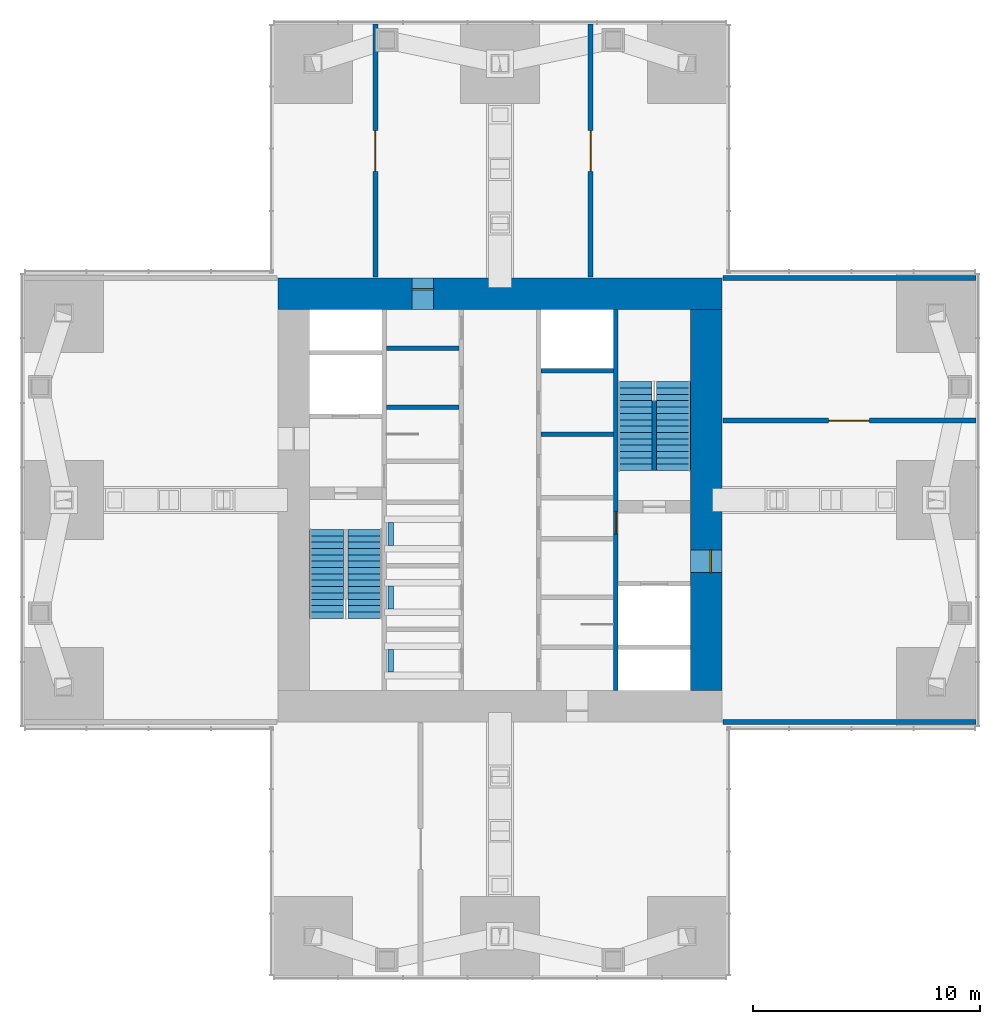
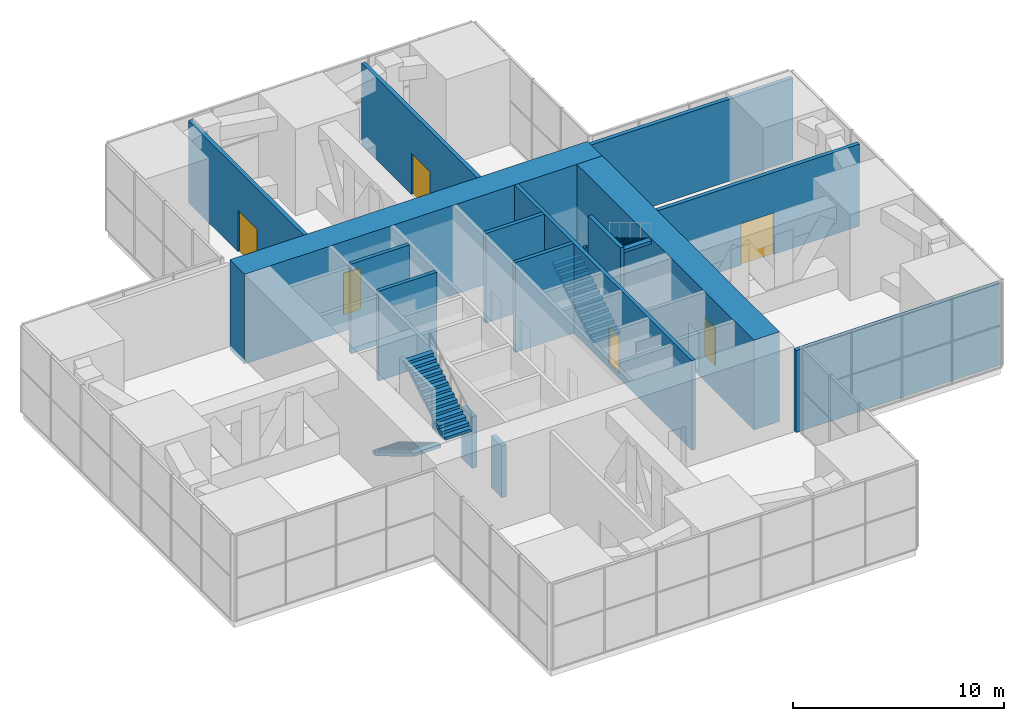
# One storey, part 11 of 12: 13 walls, 6 doors, 4 stair flights, 3 discrete accessories, 6 openings, 2 elements without a shape of their own.
"""IFC4 building model written with IfcOpenShell, lengths in metres."""

from ifc_helpers import new_model, si_unit, direction, frame, frame_2d, origin, origin_2d, place, context, subcontext, project, spatial, polyline, rectangle, outline, extrude, material, layer, layer_set, type_object, element, fill, aggregate, save


model = new_model("IFC4")

# Units and contexts
model_context = context("Model", 3, precision=1e-05, world=origin(), true_north=direction((0.0, 1.0)))
body_context = subcontext(model_context, "Body", "Model", "MODEL_VIEW")
ifc_project = project(units=[si_unit("LENGTHUNIT", "METRE"), si_unit("AREAUNIT", "SQUARE_METRE"), si_unit("VOLUMEUNIT", "CUBIC_METRE"), si_unit("PLANEANGLEUNIT", "RADIAN"), si_unit("MASSUNIT", "GRAM", prefix="KILO")], contexts=[model_context])

# Site, building, storey
site_placement = place(None, origin())
site = spatial("IfcSite", under=ifc_project, at=site_placement, CompositionType="ELEMENT")
building_placement = place(site_placement, origin())
building = spatial("IfcBuilding", under=site, at=building_placement, Name="Svetlomir Tower", CompositionType="ELEMENT")
storey_placement = place(building_placement, frame((0.0, 0.0, 234.5)))
storey = spatial("IfcBuildingStorey", under=building, at=storey_placement, Name="L56", CompositionType="ELEMENT", Elevation=234.5)

# Wall, opening, door
ifc_material_1 = material(Name="Dense concrete blockwork", Category="masonry")
ifc_layer_1 = layer(ifc_material_1, 0.215087890625)
ifc_layer_set_1 = layer_set([ifc_layer_1], Name="Dense concrete blockwork")
wall_type_1 = type_object("IfcWallType", Name="BLOCKWORK WALL 215", PredefinedType="PARTITIONING", material=ifc_layer_set_1)
wall_1_placement = place(storey_placement, frame((15.5, 30.85009765625, 0.0), z_axis=(0.0, 0.0, 1.0), x_axis=(0.0, 1.0, 0.0)))
wall_1 = element("IfcWall", 1, at=wall_1_placement, inside=storey, type_object=wall_type_1, Name="Partition L56", PredefinedType="PARTITIONING", context=body_context, shape_type="SweptSolid", body=[
    extrude(rectangle(XDim=11.14990234375, YDim=0.215087890625, at=frame_2d((5.574951171875, 0.0))), origin(), (0.0, 0.0, 1.0), 4.75),
])
opening_1_placement = place(wall_1_placement, frame((4.64990234375, 0.0, 0.0)))
opening_1 = element("IfcOpeningElement", 2, at=opening_1_placement, cuts=wall_1, Name="Opening DP", PredefinedType="OPENING", context=body_context, shape_type="SweptSolid", body=[
    extrude(rectangle(XDim=1.800048828125, YDim=2.39990234375, at=frame_2d((0.89990234375, 1.199951171875))), frame((0.0, 0.11767578125, 0.0), z_axis=(0.0, -1.0, 0.0), x_axis=(1.0, 0.0, 0.0)), (0.0, 0.0, 1.0), 0.235107421875),
])
ifc_material_2 = material(Name="Steel fire door", Category="steel")
door_type_1 = type_object("IfcDoorType", Name="PLANT ROOM DOOR DP 1800x2400", OperationType="DOUBLE_DOOR_SINGLE_SWING", PredefinedType="DOOR", material=ifc_material_2)
door_1_placement = place(opening_1_placement, origin())
door_1 = element("IfcDoor", 3, at=door_1_placement, inside=storey, type_object=door_type_1, Name="Plant room - heat exchangers door L56", OperationType="DOUBLE_DOOR_SINGLE_SWING", OverallHeight=2.39990234375, OverallWidth=1.800048828125, PredefinedType="DOOR", context=body_context, shape_type="SweptSolid", body=[
    extrude(rectangle(XDim=1.800048828125, YDim=2.39990234375, at=frame_2d((0.89990234375, 1.199951171875))), frame((0.0, 0.02490234375, 0.0), z_axis=(0.0, -1.0, 0.0), x_axis=(1.0, 0.0, 0.0)), (0.0, 0.0, 1.0), 0.050048828125),
])
fill(opening_1, door_1)

wall_2_placement = place(storey_placement, frame((25.0, 30.85009765625, 0.0), z_axis=(0.0, 0.0, 1.0), x_axis=(0.0, 1.0, 0.0)))
wall_2 = element("IfcWall", 4, at=wall_2_placement, inside=storey, type_object=wall_type_1, Name="Partition L56", PredefinedType="PARTITIONING", context=body_context, shape_type="SweptSolid", body=[
    extrude(rectangle(XDim=11.14990234375, YDim=0.215087890625, at=frame_2d((5.574951171875, 0.0))), origin(), (0.0, 0.0, 1.0), 4.75),
])
opening_2_placement = place(wall_2_placement, frame((4.64990234375, 0.0, 0.0)))
opening_2 = element("IfcOpeningElement", 5, at=opening_2_placement, cuts=wall_2, Name="Opening DP", PredefinedType="OPENING", context=body_context, shape_type="SweptSolid", body=[
    extrude(rectangle(XDim=1.800048828125, YDim=2.39990234375, at=frame_2d((0.89990234375, 1.199951171875))), frame((0.0, 0.11767578125, 0.0), z_axis=(0.0, -1.0, 0.0), x_axis=(1.0, 0.0, 0.0)), (0.0, 0.0, 1.0), 0.235107421875),
])
door_2_placement = place(opening_2_placement, origin())
door_2 = element("IfcDoor", 6, at=door_2_placement, inside=storey, type_object=door_type_1, Name="Plant room - sprinkler valves door L56", OperationType="DOUBLE_DOOR_SINGLE_SWING", OverallHeight=2.39990234375, OverallWidth=1.800048828125, PredefinedType="DOOR", context=body_context, shape_type="SweptSolid", body=[
    extrude(rectangle(XDim=1.800048828125, YDim=2.39990234375, at=frame_2d((0.89990234375, 1.199951171875))), frame((0.0, 0.02490234375, 0.0), z_axis=(0.0, -1.0, 0.0), x_axis=(1.0, 0.0, 0.0)), (0.0, 0.0, 1.0), 0.050048828125),
])
fill(opening_2, door_2)

# Wall
wall_3_placement = place(storey_placement, frame((30.85009765625, 11.199951171875, 0.0), z_axis=(0.0, 0.0, 1.0), x_axis=(1.0, 0.0, 0.0)))
element("IfcWall", 7, at=wall_3_placement, inside=storey, type_object=wall_type_1, Name="Partition L56", PredefinedType="PARTITIONING", context=body_context, shape_type="SweptSolid", body=[
    extrude(rectangle(XDim=11.14990234375, YDim=0.215087890625, at=frame_2d((5.574951171875, 0.0))), origin(), (0.0, 0.0, 1.0), 4.75),
])

# Wall, opening, door
wall_4_placement = place(storey_placement, frame((30.85009765625, 24.5, 0.0), z_axis=(0.0, 0.0, 1.0), x_axis=(1.0, 0.0, 0.0)))
wall_4 = element("IfcWall", 8, at=wall_4_placement, inside=storey, type_object=wall_type_1, Name="Partition L56", PredefinedType="PARTITIONING", context=body_context, shape_type="SweptSolid", body=[
    extrude(rectangle(XDim=11.14990234375, YDim=0.215087890625, at=frame_2d((5.574951171875, 0.0))), origin(), (0.0, 0.0, 1.0), 4.75),
])
opening_3_placement = place(wall_4_placement, frame((4.64990234375, 0.0, 0.0)))
opening_3 = element("IfcOpeningElement", 9, at=opening_3_placement, cuts=wall_4, Name="Opening DP", PredefinedType="OPENING", context=body_context, shape_type="SweptSolid", body=[
    extrude(rectangle(XDim=1.800048828125, YDim=2.39990234375, at=frame_2d((0.89990234375, 1.199951171875))), frame((0.0, 0.11767578125, 0.0), z_axis=(0.0, -1.0, 0.0), x_axis=(1.0, 0.0, 0.0)), (0.0, 0.0, 1.0), 0.235107421875),
])
door_3_placement = place(opening_3_placement, origin())
door_3 = element("IfcDoor", 10, at=door_3_placement, inside=storey, type_object=door_type_1, Name="Plant room - standby generator door L56", OperationType="DOUBLE_DOOR_SINGLE_SWING", OverallHeight=2.39990234375, OverallWidth=1.800048828125, PredefinedType="DOOR", context=body_context, shape_type="SweptSolid", body=[
    extrude(rectangle(XDim=1.800048828125, YDim=2.39990234375, at=frame_2d((0.89990234375, 1.199951171875))), frame((0.0, 0.02490234375, 0.0), z_axis=(0.0, -1.0, 0.0), x_axis=(1.0, 0.0, 0.0)), (0.0, 0.0, 1.0), 0.050048828125),
])
fill(opening_3, door_3)

# Wall
wall_5_placement = place(storey_placement, frame((30.85009765625, 30.800048828125, 0.0), z_axis=(0.0, 0.0, 1.0), x_axis=(1.0, 0.0, 0.0)))
element("IfcWall", 11, at=wall_5_placement, inside=storey, type_object=wall_type_1, Name="Partition L56", PredefinedType="PARTITIONING", context=body_context, shape_type="SweptSolid", body=[
    extrude(rectangle(XDim=11.14990234375, YDim=0.215087890625, at=frame_2d((5.574951171875, 0.0))), origin(), (0.0, 0.0, 1.0), 4.75),
])

# Wall, opening, door
ifc_material_3 = material(Name="Concrete C60/75", Category="concrete")
ifc_layer_2 = layer(ifc_material_3, 0.199951171875)
ifc_layer_set_2 = layer_set([ifc_layer_2], Name="Concrete C60/75")
wall_type_2 = type_object("IfcWallType", Name="CORE INNER WALL 200", PredefinedType="SHEAR", material=ifc_layer_set_2)
wall_6_placement = place(storey_placement, frame((26.10009765625, 12.60009765625, -0.25), z_axis=(0.0, 0.0, 1.0), x_axis=(0.0, 1.0, 0.0)))
wall_6 = element("IfcWall", 12, at=wall_6_placement, inside=storey, type_object=wall_type_2, Name="Core inner wall 26.1 L56", PredefinedType="SHEAR", context=body_context, shape_type="SweptSolid", body=[
    extrude(rectangle(XDim=16.7998046875, YDim=0.199951171875, at=frame_2d((8.39990234375, 0.0))), origin(), (0.0, 0.0, 1.0), 5.199951171875),
])
opening_4_placement = place(wall_6_placement, frame((6.89990234375, 0.0, 0.25)))
opening_4 = element("IfcOpeningElement", 13, at=opening_4_placement, cuts=wall_6, Name="Opening DF", PredefinedType="OPENING", context=body_context, shape_type="SweptSolid", body=[
    extrude(rectangle(XDim=1.0, YDim=2.199951171875, at=frame_2d((0.5, 1.10009765625))), frame((0.0, 0.10986328125, 0.0), z_axis=(0.0, -1.0, 0.0), x_axis=(1.0, 0.0, 0.0)), (0.0, 0.0, 1.0), 0.219970703125),
])
ifc_material_4 = material(Name="Steel fire door", Category="steel")
door_type_2 = type_object("IfcDoorType", Name="DOOR DF 1000x2200", OperationType="SINGLE_SWING_LEFT", PredefinedType="DOOR", material=ifc_material_4)
door_4_placement = place(opening_4_placement, origin())
door_4 = element("IfcDoor", 14, at=door_4_placement, inside=storey, type_object=door_type_2, Name="Core corridor east door L56", OperationType="SINGLE_SWING_LEFT", OverallHeight=2.199951171875, OverallWidth=1.0, PredefinedType="DOOR", context=body_context, shape_type="SweptSolid", body=[
    extrude(rectangle(XDim=1.0, YDim=2.199951171875, at=frame_2d((0.5, 1.10009765625))), frame((0.0, 0.02490234375, 0.0), z_axis=(0.0, -1.0, 0.0), x_axis=(1.0, 0.0, 0.0)), (0.0, 0.0, 1.0), 0.050048828125),
])
fill(opening_4, door_4)

# Walls
for number, where, z_axis, x_axis, name in (
    (15, (16.0, 25.10009765625, -0.25), (0.0, 0.0, 1.0), (1.0, 0.0, 0.0), "Core inner wall 16-19.2/25.1 L56"),
    (16, (16.0, 27.699951171875, -0.25), (0.0, 0.0, 1.0), (1.0, 0.0, 0.0), "Core inner wall 16-19.2/27.7 L56"),
    (17, (22.800048828125, 23.89990234375, -0.25), (0.0, 0.0, 1.0), (1.0, 0.0, 0.0), "Core inner wall 22.8-26/23.9 L56"),
    (18, (22.800048828125, 26.699951171875, -0.25), (0.0, 0.0, 1.0), (1.0, 0.0, 0.0), "Core inner wall 22.8-26/26.7 L56"),
):
    element("IfcWall", number, at=place(storey_placement, frame(where, z_axis=z_axis, x_axis=x_axis)), inside=storey, type_object=wall_type_2, Name=name, PredefinedType="SHEAR", context=body_context, shape_type="SweptSolid", body=[
        extrude(rectangle(XDim=3.199951171875, YDim=0.199951171875, at=frame_2d((1.60009765625, 0.0))), origin(), (0.0, 0.0, 1.0), 5.199951171875),
    ])

# Wall, opening, door
ifc_material_5 = material(Name="Concrete C60/75", Category="concrete")
ifc_layer_3 = layer(ifc_material_5, 1.39990234375)
ifc_layer_set_3 = layer_set([ifc_layer_3], Name="Concrete C60/75")
wall_type_3 = type_object("IfcWallType", Name="CORE WALL 1400", PredefinedType="SHEAR", material=ifc_layer_set_3)
wall_7_placement = place(storey_placement, frame((11.199951171875, 30.10009765625, -0.25), z_axis=(0.0, 0.0, 1.0), x_axis=(1.0, 0.0, 0.0)))
wall_7 = element("IfcWall", 19, at=wall_7_placement, inside=storey, type_object=wall_type_3, Name="Core wall north L56", PredefinedType="SHEAR", context=body_context, shape_type="SweptSolid", body=[
    extrude(rectangle(XDim=19.60009765625, YDim=1.39990234375, at=frame_2d((9.800048828125, 0.0))), origin(), (0.0, 0.0, 1.0), 5.199951171875),
])
opening_5_placement = place(wall_7_placement, frame((5.925048828125, 0.0, 0.25)))
opening_5 = element("IfcOpeningElement", 20, at=opening_5_placement, cuts=wall_7, Name="Opening DP2", PredefinedType="OPENING", context=body_context, shape_type="SweptSolid", body=[
    extrude(rectangle(XDim=0.949951171875, YDim=2.39990234375, at=frame_2d((0.47509765625, 1.199951171875))), frame((0.0, 0.7099609375, 0.0), z_axis=(0.0, -1.0, 0.0), x_axis=(1.0, 0.0, 0.0)), (0.0, 0.0, 1.0), 1.419921875),
])
ifc_material_6 = material(Name="Steel fire door", Category="steel")
door_type_3 = type_object("IfcDoorType", Name="PLANT ROOM DOOR DP2 950x2400", OperationType="SINGLE_SWING_LEFT", PredefinedType="DOOR", material=ifc_material_6)
door_5_placement = place(opening_5_placement, origin())
door_5 = element("IfcDoor", 21, at=door_5_placement, inside=storey, type_object=door_type_3, Name="Core north corridor plant door L56", OperationType="SINGLE_SWING_LEFT", OverallHeight=2.39990234375, OverallWidth=0.949951171875, PredefinedType="DOOR", context=body_context, shape_type="SweptSolid", body=[
    extrude(rectangle(XDim=0.949951171875, YDim=2.39990234375, at=frame_2d((0.47509765625, 1.199951171875))), frame((0.0, 0.22509765625, 0.0), z_axis=(0.0, -1.0, 0.0), x_axis=(1.0, 0.0, 0.0)), (0.0, 0.0, 1.0), 0.050048828125),
])
fill(opening_5, door_5)

wall_8_placement = place(storey_placement, frame((30.10009765625, 12.60009765625, -0.25), z_axis=(0.0, 0.0, 1.0), x_axis=(0.0, 1.0, 0.0)))
wall_8 = element("IfcWall", 22, at=wall_8_placement, inside=storey, type_object=wall_type_3, Name="Core wall east L56", PredefinedType="SHEAR", context=body_context, shape_type="SweptSolid", body=[
    extrude(rectangle(XDim=16.7998046875, YDim=1.39990234375, at=frame_2d((8.39990234375, 0.0))), origin(), (0.0, 0.0, 1.0), 5.199951171875),
])
opening_6_placement = place(wall_8_placement, frame((5.199951171875, 0.0, 0.25)))
opening_6 = element("IfcOpeningElement", 23, at=opening_6_placement, cuts=wall_8, Name="Opening DF", PredefinedType="OPENING", context=body_context, shape_type="SweptSolid", body=[
    extrude(rectangle(XDim=1.0, YDim=2.199951171875, at=frame_2d((0.5, 1.10009765625))), frame((0.0, 0.7099609375, 0.0), z_axis=(0.0, -1.0, 0.0), x_axis=(1.0, 0.0, 0.0)), (0.0, 0.0, 1.0), 1.419921875),
])
door_6_placement = place(opening_6_placement, origin())
door_6 = element("IfcDoor", 24, at=door_6_placement, inside=storey, type_object=door_type_2, Name="Firefighting lobby east door L56", OperationType="SINGLE_SWING_LEFT", OverallHeight=2.199951171875, OverallWidth=1.0, PredefinedType="DOOR", context=body_context, shape_type="SweptSolid", body=[
    extrude(rectangle(XDim=1.0, YDim=2.199951171875, at=frame_2d((0.5, 1.10009765625))), frame((0.0, -0.1748046875, 0.0), z_axis=(0.0, -1.0, 0.0), x_axis=(1.0, 0.0, 0.0)), (0.0, 0.0, 1.0), 0.050048828125),
])
fill(opening_6, door_6)

# Wall
ifc_material_7 = material(Name="Concrete C60/75", Category="concrete")
ifc_layer_4 = layer(ifc_material_7, 0.199951171875)
ifc_layer_set_4 = layer_set([ifc_layer_4], Name="Concrete C60/75")
wall_type_4 = type_object("IfcWallType", Name="STAIR SPINE WALL 200", PredefinedType="PARTITIONING", material=ifc_layer_set_4)
wall_9_placement = place(storey_placement, frame((27.800048828125, 22.300048828125, 0.0), z_axis=(0.0, 0.0, 1.0), x_axis=(0.0, 1.0, 0.0)))
element("IfcWall", 25, at=wall_9_placement, inside=storey, type_object=wall_type_4, Name="Stair S2 spine wall L56", PredefinedType="PARTITIONING", context=body_context, shape_type="SweptSolid", body=[
    extrude(rectangle(XDim=3.079833984375, YDim=0.199951171875, at=frame_2d((1.5400390625, 0.0))), origin(), (0.0, 0.0, 1.0), 5.0),
])

# Stair, stair flights
ifc_material_8 = material(Name="Concrete C60/75", Category="concrete")
stair_type = type_object("IfcStairType", Name="EXIT STAIR 3200 RISE 5000", PredefinedType="HALF_TURN_STAIR", material=ifc_material_8)
stair_1_placement = place(storey_placement, origin())
stair_1 = element("IfcStair", 26, at=stair_1_placement, inside=storey, type_object=stair_type, Name="Stair S1 L56 to L57", PredefinedType="HALF_TURN_STAIR")
ifc_material_9 = material(Name="Concrete C60/75", Category="concrete")
stair_flight_type = type_object("IfcStairFlightType", Name="STAIR FLIGHT 1500 OF 15 RISERS", PredefinedType="STRAIGHT", material=ifc_material_9)
stair_flight_1_placement = place(storey_placement, frame((13.35009765625, 19.699951171875, 0.0), z_axis=(0.0, 0.0, 1.0), x_axis=(0.0, -1.0, 0.0)))
stair_flight_1 = element("IfcStairFlight", 27, at=stair_flight_1_placement, type_object=stair_flight_type, Name="S1 flight 1", NumberOfRisers=15, NumberOfTreads=14, PredefinedType="STRAIGHT", RiserHeight=0.166666667, TreadLength=0.28, context=body_context, shape_type="SweptSolid", body=[
    extrude(outline(polyline([(0.0, 0.0), (0.0, 0.166748046875), (0.280029296875, 0.166748046875), (0.280029296875, 0.333251953125), (0.56005859375, 0.333251953125), (0.56005859375, 0.5), (0.840087890625, 0.5), (0.840087890625, 0.666748046875), (1.1201171875, 0.666748046875), (1.1201171875, 0.833251953125), (1.39990234375, 0.833251953125), (1.39990234375, 1.0), (1.679931640625, 1.0), (1.679931640625, 1.166748046875), (1.9599609375, 1.166748046875), (1.9599609375, 1.333251953125), (2.239990234375, 1.333251953125), (2.239990234375, 1.5), (2.52001953125, 1.5), (2.52001953125, 1.666748046875), (2.800048828125, 1.666748046875), (2.800048828125, 1.833251953125), (3.080078125, 1.833251953125), (3.080078125, 2.0), (3.360107421875, 2.0), (3.360107421875, 2.166748046875), (3.639892578125, 2.166748046875), (3.639892578125, 2.333251953125), (3.919921875, 2.333251953125), (3.919921875, 2.5), (3.919921875, 2.158935546875), (0.29296875, 0.0), (0.0, 0.0)])), frame((0.0, 0.75, 0.0), z_axis=(0.0, -1.0, 0.0), x_axis=(1.0, 0.0, 0.0)), (0.0, 0.0, 1.0), 1.5),
])
stair_flight_2_placement = place(storey_placement, frame((15.050048828125, 15.780029296875, 2.5), z_axis=(0.0, 0.0, 1.0), x_axis=(0.0, 1.0, 0.0)))
stair_flight_2 = element("IfcStairFlight", 28, at=stair_flight_2_placement, type_object=stair_flight_type, Name="S1 flight 2", NumberOfRisers=15, NumberOfTreads=14, PredefinedType="STRAIGHT", RiserHeight=0.166666667, TreadLength=0.28, context=body_context, shape_type="SweptSolid", body=[
    extrude(outline(polyline([(0.0, 0.0), (0.0, 0.166748046875), (0.280029296875, 0.166748046875), (0.280029296875, 0.333251953125), (0.56005859375, 0.333251953125), (0.56005859375, 0.5), (0.840087890625, 0.5), (0.840087890625, 0.666748046875), (1.1201171875, 0.666748046875), (1.1201171875, 0.833251953125), (1.39990234375, 0.833251953125), (1.39990234375, 1.0), (1.679931640625, 1.0), (1.679931640625, 1.166748046875), (1.9599609375, 1.166748046875), (1.9599609375, 1.333251953125), (2.239990234375, 1.333251953125), (2.239990234375, 1.5), (2.52001953125, 1.5), (2.52001953125, 1.666748046875), (2.800048828125, 1.666748046875), (2.800048828125, 1.833251953125), (3.080078125, 1.833251953125), (3.080078125, 2.0), (3.360107421875, 2.0), (3.360107421875, 2.166748046875), (3.639892578125, 2.166748046875), (3.639892578125, 2.333251953125), (3.919921875, 2.333251953125), (3.919921875, 2.5), (3.919921875, 2.158935546875), (0.29296875, 0.0), (0.0, 0.0)])), frame((0.0, 0.75, 0.0), z_axis=(0.0, -1.0, 0.0), x_axis=(1.0, 0.0, 0.0)), (0.0, 0.0, 1.0), 1.5),
])
aggregate(stair_1, [stair_flight_1, stair_flight_2])

stair_2_placement = place(storey_placement, origin())
stair_2 = element("IfcStair", 29, at=stair_2_placement, inside=storey, type_object=stair_type, Name="Stair S2 L56 to L57", PredefinedType="HALF_TURN_STAIR")
stair_flight_3_placement = place(storey_placement, frame((26.949951171875, 22.300048828125, 0.0), z_axis=(0.0, 0.0, 1.0), x_axis=(0.0, 1.0, 0.0)))
stair_flight_3 = element("IfcStairFlight", 30, at=stair_flight_3_placement, type_object=stair_flight_type, Name="S2 flight 1", NumberOfRisers=15, NumberOfTreads=14, PredefinedType="STRAIGHT", RiserHeight=0.166666667, TreadLength=0.28, context=body_context, shape_type="SweptSolid", body=[
    extrude(outline(polyline([(0.0, 0.0), (0.0, 0.166748046875), (0.280029296875, 0.166748046875), (0.280029296875, 0.333251953125), (0.56005859375, 0.333251953125), (0.56005859375, 0.5), (0.840087890625, 0.5), (0.840087890625, 0.666748046875), (1.1201171875, 0.666748046875), (1.1201171875, 0.833251953125), (1.39990234375, 0.833251953125), (1.39990234375, 1.0), (1.679931640625, 1.0), (1.679931640625, 1.166748046875), (1.9599609375, 1.166748046875), (1.9599609375, 1.333251953125), (2.239990234375, 1.333251953125), (2.239990234375, 1.5), (2.52001953125, 1.5), (2.52001953125, 1.666748046875), (2.800048828125, 1.666748046875), (2.800048828125, 1.833251953125), (3.080078125, 1.833251953125), (3.080078125, 2.0), (3.360107421875, 2.0), (3.360107421875, 2.166748046875), (3.639892578125, 2.166748046875), (3.639892578125, 2.333251953125), (3.919921875, 2.333251953125), (3.919921875, 2.5), (3.919921875, 2.158935546875), (0.29296875, 0.0), (0.0, 0.0)])), frame((0.0, 0.75, 0.0), z_axis=(0.0, -1.0, 0.0), x_axis=(1.0, 0.0, 0.0)), (0.0, 0.0, 1.0), 1.5),
])
stair_flight_4_placement = place(storey_placement, frame((28.64990234375, 26.219970703125, 2.5), z_axis=(0.0, 0.0, 1.0), x_axis=(0.0, -1.0, 0.0)))
stair_flight_4 = element("IfcStairFlight", 31, at=stair_flight_4_placement, type_object=stair_flight_type, Name="S2 flight 2", NumberOfRisers=15, NumberOfTreads=14, PredefinedType="STRAIGHT", RiserHeight=0.166666667, TreadLength=0.28, context=body_context, shape_type="SweptSolid", body=[
    extrude(outline(polyline([(0.0, 0.0), (0.0, 0.166748046875), (0.280029296875, 0.166748046875), (0.280029296875, 0.333251953125), (0.56005859375, 0.333251953125), (0.56005859375, 0.5), (0.840087890625, 0.5), (0.840087890625, 0.666748046875), (1.1201171875, 0.666748046875), (1.1201171875, 0.833251953125), (1.39990234375, 0.833251953125), (1.39990234375, 1.0), (1.679931640625, 1.0), (1.679931640625, 1.166748046875), (1.9599609375, 1.166748046875), (1.9599609375, 1.333251953125), (2.239990234375, 1.333251953125), (2.239990234375, 1.5), (2.52001953125, 1.5), (2.52001953125, 1.666748046875), (2.800048828125, 1.666748046875), (2.800048828125, 1.833251953125), (3.080078125, 1.833251953125), (3.080078125, 2.0), (3.360107421875, 2.0), (3.360107421875, 2.166748046875), (3.639892578125, 2.166748046875), (3.639892578125, 2.333251953125), (3.919921875, 2.333251953125), (3.919921875, 2.5), (3.919921875, 2.158935546875), (0.29296875, 0.0), (0.0, 0.0)])), frame((0.0, 0.75, 0.0), z_axis=(0.0, -1.0, 0.0), x_axis=(1.0, 0.0, 0.0)), (0.0, 0.0, 1.0), 1.5),
])
aggregate(stair_2, [stair_flight_3, stair_flight_4])

# Discrete accessories
for number, where, z_axis, x_axis, name in (
    (32, (16.175048828125, 13.89990234375, 0.0), (0.0, 0.0, 1.0), (1.0, 0.0, 0.0), "Lift LC1 counterweight"),
    (33, (16.175048828125, 16.699951171875, 0.0), (0.0, 0.0, 1.0), (1.0, 0.0, 0.0), "Lift LC2 counterweight"),
    (34, (16.175048828125, 19.5, 0.0), (0.0, 0.0, 1.0), (1.0, 0.0, 0.0), "Lift LC3 counterweight"),
):
    element("IfcDiscreteAccessory", number, at=place(storey_placement, frame(where, z_axis=z_axis, x_axis=x_axis)), inside=storey, Name=name, ObjectType="LIFT COUNTERWEIGHT", PredefinedType="USERDEFINED", context=body_context, shape_type="SweptSolid", body=[
        extrude(rectangle(XDim=0.25, YDim=1.0, at=origin_2d()), origin(), (0.0, 0.0, 1.0), 3.0),
    ])

save(model, "model.ifc")
